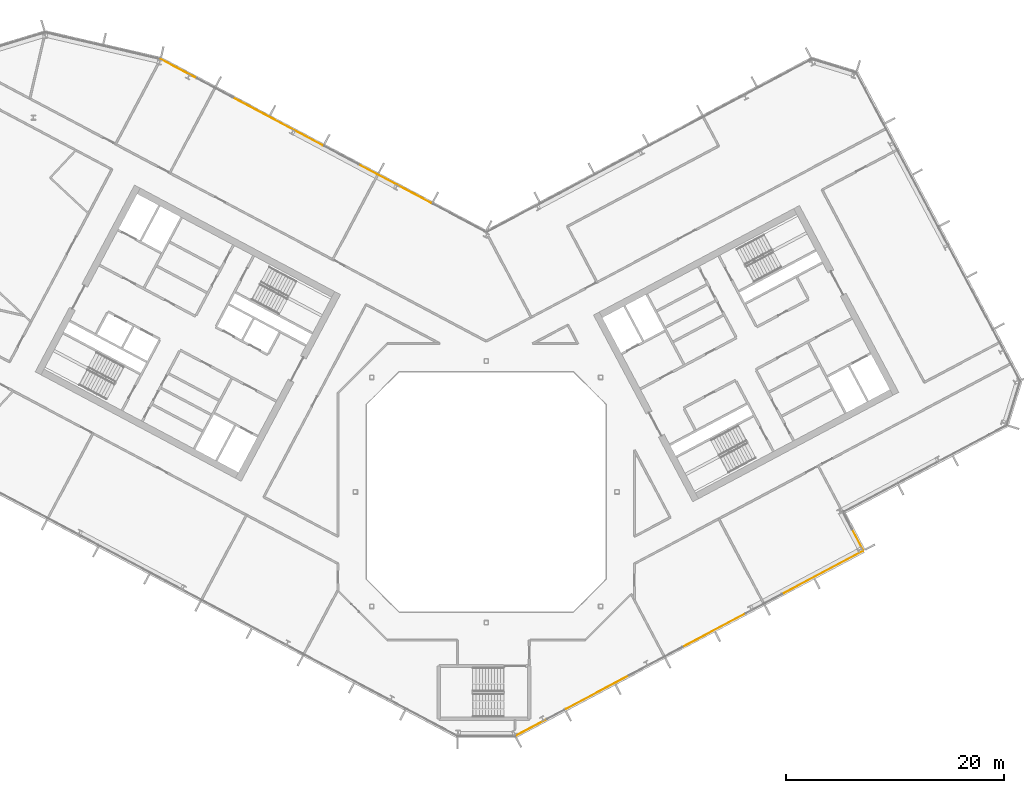
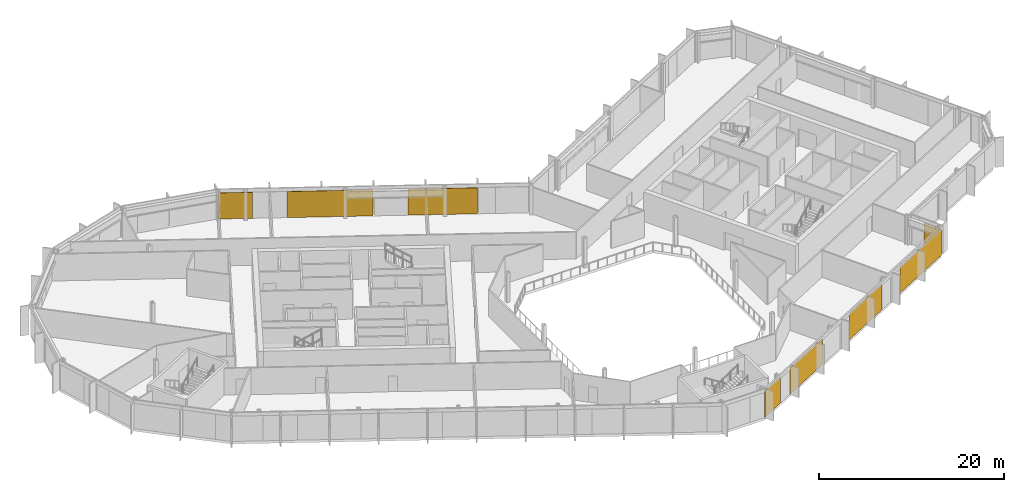
# One storey, part 24 of 27: 8 coverings, 3 elements without a shape of their own.
"""IFC4 building model written with IfcOpenShell, lengths in metres."""

import ifcopenshell
import ifcopenshell.guid

model = None  # the IFC model being written
_history = None  # IfcOwnerHistory: only IFC2X3 demands one
_inside = {}  # id of a spatial element -> (the spatial element, [elements in it])
_under = {}  # id of a project, library or spatial element -> (it, [spatial elements below it])
_declared = {}  # id of a project -> (the project, [libraries it declares])
_typed = {}  # id of a type object -> (the type object, [elements of that type])
_made_of = {}  # id of a material, layer set ... -> (it, [elements and type objects made of it])


def new_model(schema):
    """Start an empty IFC model of exactly this schema.

    Asked for "IFC4X3", IfcOpenShell would pick the latest addendum, in which some entities
    have other attributes; the version numbers below select the first issue.
    IFC2X3 requires an IfcOwnerHistory on every rooted entity: one is made here for all.
    """
    global model, _history
    if schema == "IFC4X3":
        model = ifcopenshell.file(schema_version=(4, 3, 0, 0))
    else:
        model = ifcopenshell.file(schema=schema)
    _inside.clear()
    _under.clear()
    _declared.clear()
    _typed.clear()
    _made_of.clear()
    _history = None
    if model.schema == "IFC2X3":
        org = make("IfcOrganization", Name="unknown")
        user = make(
            "IfcPersonAndOrganization",
            ThePerson=make("IfcPerson", FamilyName="unknown"),
            TheOrganization=org,
        )
        app = make(
            "IfcApplication",
            ApplicationDeveloper=org,
            Version="unknown",
            ApplicationFullName="unknown",
            ApplicationIdentifier="unknown",
        )
        _history = make(
            "IfcOwnerHistory",
            OwningUser=user,
            OwningApplication=app,
            ChangeAction="ADDED",
            CreationDate=0,
        )
    return model


def make(cls, **values):
    """One entity of the class cls with the attributes given. An attribute that is None is left unset."""
    return model.create_entity(
        cls, **{name: value for name, value in values.items() if value is not None}
    )


def rooted(cls, **values):
    """An entity with a GlobalId (a new one), such as an element, a storey or a relation."""
    return make(cls, GlobalId=ifcopenshell.guid.new(), OwnerHistory=_history, **values)


def si_unit(unit_type, name, prefix=None):
    """IfcSIUnit, for example si_unit("LENGTHUNIT", "METRE", prefix="MILLI")."""
    return make("IfcSIUnit", UnitType=unit_type, Prefix=prefix, Name=name)


def assignment(units):
    """IfcUnitAssignment: the units of a project."""
    return None if units is None else make("IfcUnitAssignment", Units=units)


def point(xyz):
    """IfcCartesianPoint."""
    return None if xyz is None else make("IfcCartesianPoint", Coordinates=xyz)


def direction(xyz):
    """IfcDirection."""
    return None if xyz is None else make("IfcDirection", DirectionRatios=xyz)


def frame(location, z_axis=None, x_axis=None):
    """IfcAxis2Placement3D, a coordinate frame: its origin and axes. An axis left out is left unset."""
    return make(
        "IfcAxis2Placement3D",
        Location=point(location),
        Axis=direction(z_axis),
        RefDirection=direction(x_axis),
    )


def frame_2d(location, x_axis=None):
    """IfcAxis2Placement2D, a coordinate frame in the plane: its origin and x axis."""
    return make(
        "IfcAxis2Placement2D", Location=point(location), RefDirection=direction(x_axis)
    )


def origin():
    """The frame at (0, 0, 0) with its axes left unset."""
    return frame((0.0, 0.0, 0.0))


def origin_2d():
    """The frame at (0, 0) in the plane with its x axis left unset."""
    return frame_2d((0.0, 0.0))


def place(relative_to, where):
    """IfcLocalPlacement: puts the frame where relative to a parent placement (None: the world)."""
    return make(
        "IfcLocalPlacement", PlacementRelTo=relative_to, RelativePlacement=where
    )


def context(
    kind, dimensions, precision=None, world=None, true_north=None, identifier=None
):
    """IfcGeometricRepresentationContext, for example the 3D "Model" context."""
    return make(
        "IfcGeometricRepresentationContext",
        ContextIdentifier=identifier,
        ContextType=kind,
        CoordinateSpaceDimension=dimensions,
        Precision=precision,
        WorldCoordinateSystem=world,
        TrueNorth=true_north,
    )


def subcontext(parent, identifier, kind, view, scale=None):
    """IfcGeometricRepresentationSubContext, for example "Body" below "Model"."""
    return make(
        "IfcGeometricRepresentationSubContext",
        ContextIdentifier=identifier,
        ContextType=kind,
        ParentContext=parent,
        TargetScale=scale,
        TargetView=view,
    )


def project(units=None, contexts=None):
    """IfcProject with its units and contexts."""
    return rooted(
        "IfcProject",
        Name="project",
        RepresentationContexts=contexts,
        UnitsInContext=assignment(units),
    )


def spatial(cls, under=None, at=None, **own):
    """A site, building, storey or space (cls), placed at a placement, below another one or the project."""
    s = rooted(cls, ObjectPlacement=at, **own)
    if under is not None:
        _under.setdefault(under.id(), (under, []))[1].append(s)
    return s


def profile(cls, at=None, kind="AREA", **sizes):
    """A parametric profile (cls). Its sizes go by their IFC names, for example OverallWidth=200.0."""
    return make(cls, ProfileType=kind, Position=at, **sizes)


def rectangle(**sizes):
    """IfcRectangleProfileDef."""
    return profile("IfcRectangleProfileDef", **sizes)


def extrude(swept, where, along, depth):
    """IfcExtrudedAreaSolid: the profile swept, set in the frame where, extruded along a direction by depth."""
    return make(
        "IfcExtrudedAreaSolid",
        SweptArea=swept,
        Position=where,
        ExtrudedDirection=direction(along),
        Depth=depth,
    )


def shape(context_of_items, identifier, shape_type, items):
    """IfcShapeRepresentation: the items that make up one representation, for example the "Body"."""
    return make(
        "IfcShapeRepresentation",
        ContextOfItems=context_of_items,
        RepresentationIdentifier=identifier,
        RepresentationType=shape_type,
        Items=items,
    )


def material(Name=None, Category=None):
    """IfcMaterial."""
    return make("IfcMaterial", Name=Name, Category=Category)


def layer(
    of_material, thickness, ventilated=None, Name=None, Category=None, Priority=None
):
    """IfcMaterialLayer: one layer of a wall or slab, of a material (None: an air gap)."""
    return make(
        "IfcMaterialLayer",
        Material=of_material,
        LayerThickness=thickness,
        IsVentilated=ventilated,
        Name=Name,
        Category=Category,
        Priority=Priority,
    )


def layer_set(layers, Name=None):
    """IfcMaterialLayerSet."""
    return make("IfcMaterialLayerSet", MaterialLayers=layers, LayerSetName=Name)


def made_of(thing, what):
    """Note that an element or type object is made of a material, layer set ...; save() writes the relation."""
    if what is not None:
        _made_of.setdefault(what.id(), (what, []))[1].append(thing)
    return thing


def type_object(cls, material=None, **own):
    """A type object (cls), such as IfcWallType, which elements share."""
    return made_of(rooted(cls, **own), material)


def element(
    cls,
    number,
    at=None,
    inside=None,
    cuts=None,
    type_object=None,
    material=None,
    context=None,
    identifier="Body",
    shape_type=None,
    held_by="IfcProductDefinitionShape",
    body=None,
    shapes=None,
    **own,
):
    """One element of the class cls, such as IfcWall. Its Tag is "e" and its number.

    at: its placement. inside: the storey or other place that contains it. cuts: it is an
    opening in that element (IfcRelVoidsElement). A single representation is given by context,
    identifier, shape_type and body (its items); several are given by shapes. held_by: the class
    of the entity that holds the representations. save() writes the other relations.
    """
    e = rooted(cls, Tag="e%d" % number, ObjectPlacement=at, **own)
    if body is not None:
        shapes = [shape(context, identifier, shape_type, body)]
    if shapes is not None:
        e.Representation = make(held_by, Representations=shapes)
    if inside is not None:
        _inside.setdefault(inside.id(), (inside, []))[1].append(e)
    if cuts is not None:
        rooted(
            "IfcRelVoidsElement", RelatingBuildingElement=cuts, RelatedOpeningElement=e
        )
    if type_object is not None:
        _typed.setdefault(type_object.id(), (type_object, []))[1].append(e)
    return made_of(e, material)


def aggregate(whole, parts):
    """IfcRelAggregates: a whole, such as a stair, and the parts it consists of."""
    return rooted("IfcRelAggregates", RelatingObject=whole, RelatedObjects=parts)


def save(model, path):
    """Write the relations noted so far, then the file.

    IfcRelAggregates (storeys below a building ...), IfcRelContainedInSpatialStructure (elements
    in a storey), IfcRelDefinesByType, IfcRelAssociatesMaterial and IfcRelDeclares: one each for
    every whole, place, type object, material and project.
    """
    for whole, parts in _under.values():
        aggregate(whole, parts)
    for where, things in _inside.values():
        rooted(
            "IfcRelContainedInSpatialStructure",
            RelatedElements=things,
            RelatingStructure=where,
        )
    for kind, things in _typed.values():
        rooted("IfcRelDefinesByType", RelatedObjects=things, RelatingType=kind)
    for what, things in _made_of.values():
        rooted("IfcRelAssociatesMaterial", RelatedObjects=things, RelatingMaterial=what)
    for by, libraries in _declared.values():
        rooted("IfcRelDeclares", RelatingContext=by, RelatedDefinitions=libraries)
    model.write(path)


model = new_model("IFC4")

# Units and contexts
model_context = context("Model", 3, precision=1e-05, world=origin(), true_north=direction((0.0, 1.0)))
body_context = subcontext(model_context, "Body", "Model", "MODEL_VIEW")
ifc_project = project(units=[si_unit("LENGTHUNIT", "METRE"), si_unit("AREAUNIT", "SQUARE_METRE"), si_unit("VOLUMEUNIT", "CUBIC_METRE"), si_unit("PLANEANGLEUNIT", "RADIAN"), si_unit("MASSUNIT", "GRAM", prefix="KILO")], contexts=[model_context])

# Site, building, storey
site_placement = place(None, origin())
site = spatial("IfcSite", under=ifc_project, at=site_placement, CompositionType="ELEMENT")
building_placement = place(site_placement, origin())
building = spatial("IfcBuilding", under=site, at=building_placement, Name="Cormorant Relay Tower", CompositionType="ELEMENT")
storey_placement = place(building_placement, frame((0.0, 0.0, 232.5)))
storey = spatial("IfcBuildingStorey", under=building, at=storey_placement, Name="L51", CompositionType="ELEMENT", Elevation=232.5)

# Curtain wall, coverings
ifc_material_1 = material(Name="Aluminium 6063-T6 anodised bronze", Category="aluminium")
ifc_layer_1 = layer(ifc_material_1, 0.199951171875)
ifc_layer_set_1 = layer_set([ifc_layer_1], Name="CW1 unitised bronze curtain wall with vertical fins")
curtain_wall_type = type_object("IfcCurtainWallType", Name="CW1 unitised bronze curtain wall with vertical fins", PredefinedType="NOTDEFINED", material=ifc_layer_set_1)
curtain_wall_1_placement = place(storey_placement, origin())
curtain_wall_1 = element("IfcCurtainWall", 1, at=curtain_wall_1_placement, inside=storey, type_object=curtain_wall_type, Name="CW1 curtain wall 2", PredefinedType="NOTDEFINED")
ifc_material_2 = material(Name="Pale bronze anodised aluminium insulated panel", Category="aluminium")
ifc_layer_2 = layer(ifc_material_2, 0.0400390625)
ifc_layer_set_2 = layer_set([ifc_layer_2], Name="CW1 pale bronze insulated panel 40")
covering_type = type_object("IfcCoveringType", Name="CW1 pale bronze insulated panel 40", PredefinedType="CLADDING", material=ifc_layer_set_2)
covering_1_placement = place(storey_placement, frame((4.14453125, -21.60302734375, 0.0), z_axis=(0.0, 0.0, 1.0), x_axis=(0.882947592859, 0.469471562786, 0.0)))
covering_1 = element("IfcCovering", 2, at=covering_1_placement, type_object=covering_type, Name="CW1 panel S00", PredefinedType="CLADDING", context=body_context, shape_type="SweptSolid", body=[
    extrude(rectangle(XDim=3.216552734375, YDim=0.0400390625, at=origin_2d()), origin(), (0.0, 0.0, 1.0), 3.449951171875),
])
covering_2_placement = place(storey_placement, frame((10.1923828125, -18.38720703125, 0.0), z_axis=(0.0, 0.0, 1.0), x_axis=(0.882947592859, 0.469471562786, 0.0)))
covering_2 = element("IfcCovering", 3, at=covering_2_placement, type_object=covering_type, Name="CW1 panel S02", PredefinedType="CLADDING", context=body_context, shape_type="SweptSolid", body=[
    extrude(rectangle(XDim=6.5830078125, YDim=0.0400390625, at=origin_2d()), origin(), (0.0, 0.0, 1.0), 3.449951171875),
])
covering_3_placement = place(storey_placement, frame((20.905517578125, -12.69091796875, 0.0), z_axis=(0.0, 0.0, 1.0), x_axis=(0.882947592859, 0.469471562786, 0.0)))
covering_3 = element("IfcCovering", 4, at=covering_3_placement, type_object=covering_type, Name="CW1 panel S05", PredefinedType="CLADDING", context=body_context, shape_type="SweptSolid", body=[
    extrude(rectangle(XDim=6.5830078125, YDim=0.0400390625, at=origin_2d()), origin(), (0.0, 0.0, 1.0), 3.449951171875),
])
covering_4_placement = place(storey_placement, frame((30.856689453125, -7.39990234375, 0.0), z_axis=(0.0, 0.0, 1.0), x_axis=(0.882947592859, 0.469471562786, 0.0)))
covering_4 = element("IfcCovering", 5, at=covering_4_placement, type_object=covering_type, Name="CW1 panel S08", PredefinedType="CLADDING", context=body_context, shape_type="SweptSolid", body=[
    extrude(rectangle(XDim=8.4580078125, YDim=0.0400390625, at=origin_2d()), origin(), (0.0, 0.0, 1.0), 3.449951171875),
])
aggregate(curtain_wall_1, [covering_1, covering_2, covering_3, covering_4])

# Curtain wall, covering
curtain_wall_2_placement = place(storey_placement, origin())
curtain_wall_2 = element("IfcCurtainWall", 6, at=curtain_wall_2_placement, inside=storey, type_object=curtain_wall_type, Name="CW1 curtain wall 3", PredefinedType="NOTDEFINED")
covering_5_placement = place(storey_placement, frame((34.065185546875, -4.383056640625, 0.0), z_axis=(0.0, 0.0, 1.0), x_axis=(-0.469471562786, 0.882947592859, 0.0)))
covering_5 = element("IfcCovering", 7, at=covering_5_placement, type_object=covering_type, Name="CW1 panel S00", PredefinedType="CLADDING", context=body_context, shape_type="SweptSolid", body=[
    extrude(rectangle(XDim=2.125, YDim=0.0400390625, at=origin_2d()), origin(), (0.0, 0.0, 1.0), 3.449951171875),
])
aggregate(curtain_wall_2, [covering_5])

# Curtain wall, coverings
curtain_wall_3_placement = place(storey_placement, origin())
curtain_wall_3 = element("IfcCurtainWall", 8, at=curtain_wall_3_placement, inside=storey, type_object=curtain_wall_type, Name="CW1 curtain wall 9", PredefinedType="NOTDEFINED")
covering_6_placement = place(storey_placement, frame((-8.359130859375, 28.251220703125, 0.0), z_axis=(0.0, 0.0, 1.0), x_axis=(-0.882947592859, 0.469471562786, 0.0)))
covering_6 = element("IfcCovering", 9, at=covering_6_placement, type_object=covering_type, Name="CW1 panel S02", PredefinedType="CLADDING", context=body_context, shape_type="SweptSolid", body=[
    extrude(rectangle(XDim=7.528076171875, YDim=0.0400390625, at=origin_2d()), origin(), (0.0, 0.0, 1.0), 3.449951171875),
])
covering_7_placement = place(storey_placement, frame((-19.11181640625, 33.968505859375, 0.0), z_axis=(0.0, 0.0, 1.0), x_axis=(-0.882947592859, 0.469471562786, 0.0)))
covering_7 = element("IfcCovering", 10, at=covering_7_placement, type_object=covering_type, Name="CW1 panel S04", PredefinedType="CLADDING", context=body_context, shape_type="SweptSolid", body=[
    extrude(rectangle(XDim=9.327880859375, YDim=0.0400390625, at=origin_2d()), origin(), (0.0, 0.0, 1.0), 3.449951171875),
])
covering_8_placement = place(storey_placement, frame((-28.20263671875, 38.80224609375, 0.0), z_axis=(0.0, 0.0, 1.0), x_axis=(-0.882947592859, 0.469471562786, 0.0)))
covering_8 = element("IfcCovering", 11, at=covering_8_placement, type_object=covering_type, Name="CW1 panel S07", PredefinedType="CLADDING", context=body_context, shape_type="SweptSolid", body=[
    extrude(rectangle(XDim=3.763916015625, YDim=0.0400390625, at=origin_2d()), origin(), (0.0, 0.0, 1.0), 3.449951171875),
])
aggregate(curtain_wall_3, [covering_6, covering_7, covering_8])

save(model, "model.ifc")
